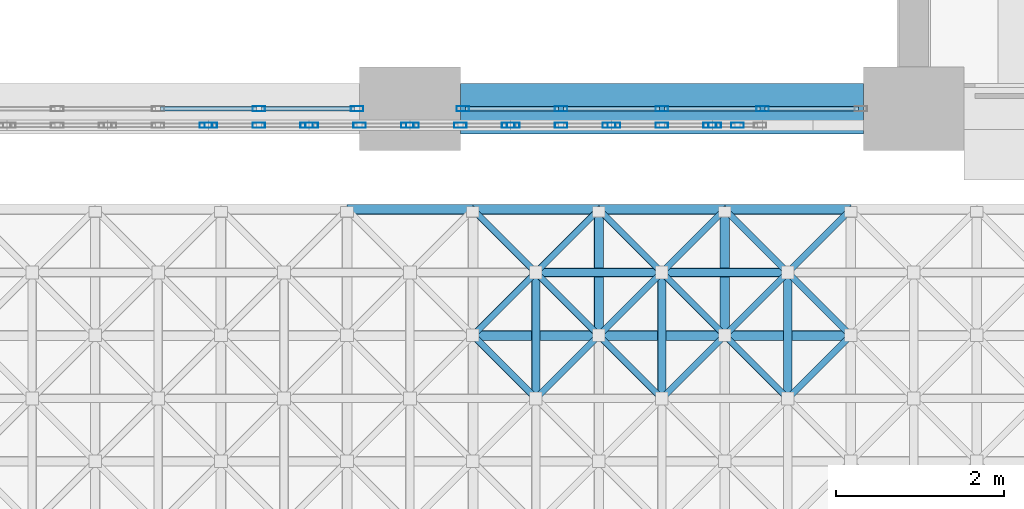
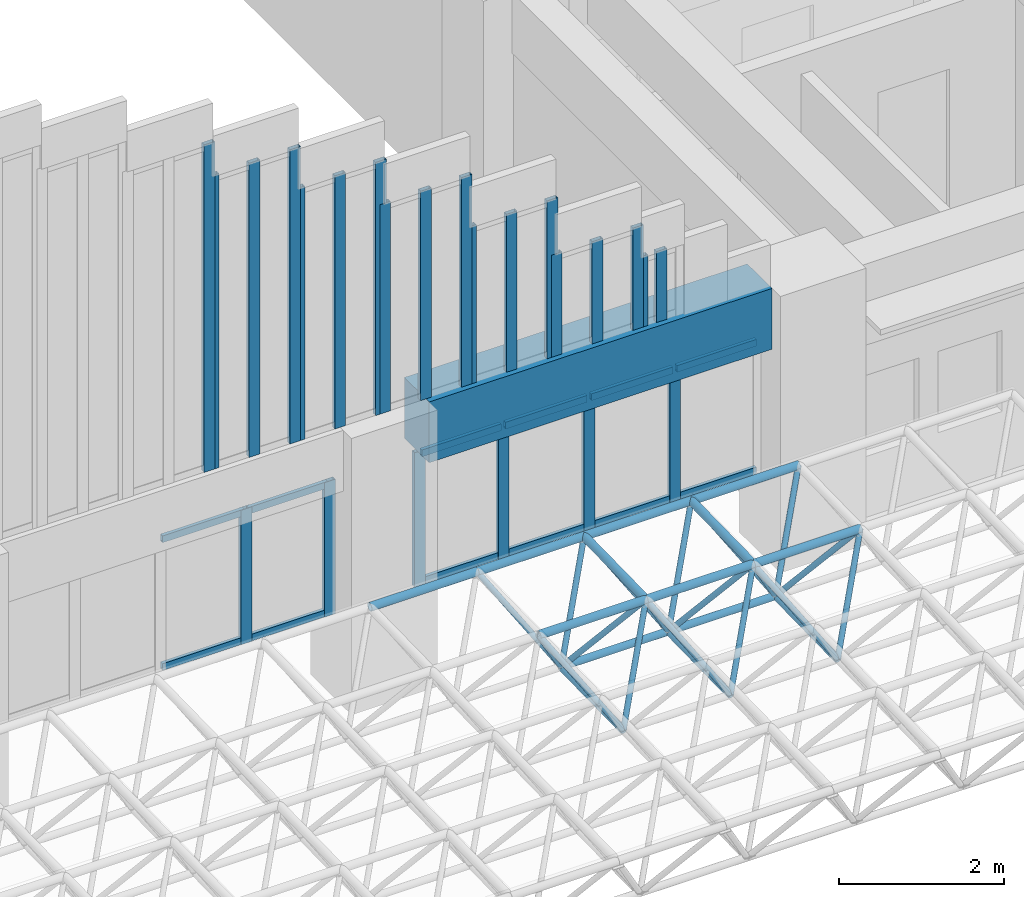
# One storey, part 18 of 103: 68 members, 1 beam, 9 elements without a shape of their own.
"""IFC4 building model written with IfcOpenShell, lengths in metres."""

from ifc_helpers import new_model, si_unit, direction, frame, origin, origin_2d, place, context, subcontext, project, spatial, rectangle, hollow_rectangle, hollow_circle, extrude, material, material_profile, profile_set, type_object, element, aggregate, save


model = new_model("IFC4")

# Units and contexts
model_context = context("Model", 3, precision=1e-05, world=origin(), true_north=direction((0.0, 1.0)))
body_context = subcontext(model_context, "Body", "Model", "MODEL_VIEW")
ifc_project = project(units=[si_unit("LENGTHUNIT", "METRE"), si_unit("AREAUNIT", "SQUARE_METRE"), si_unit("VOLUMEUNIT", "CUBIC_METRE"), si_unit("PLANEANGLEUNIT", "RADIAN"), si_unit("MASSUNIT", "GRAM", prefix="KILO")], contexts=[model_context])

# Site, building, storey
site_placement = place(None, origin())
site = spatial("IfcSite", under=ifc_project, at=site_placement, CompositionType="ELEMENT")
building_placement = place(site_placement, origin())
building = spatial("IfcBuilding", under=site, at=building_placement, Name="Laocheng Heights Fire and Rescue Headquarters", CompositionType="ELEMENT")
storey_placement = place(building_placement, frame((0.0, 0.0, 4.199951171875)))
storey = spatial("IfcBuildingStorey", under=building, at=storey_placement, Name="L01", CompositionType="ELEMENT", Elevation=4.199951171875)

# Curtain wall, members
ifc_material_1 = material(Name="Aluminium gable glazing, low-e double glazing", Category="aluminium")
curtain_wall_type_1 = type_object("IfcCurtainWallType", Name="GABLE SPANDREL GLAZED UNIT 4800 x 1990", PredefinedType="NOTDEFINED", material=ifc_material_1)
curtain_wall_1_placement = place(storey_placement, origin())
curtain_wall_1 = element("IfcCurtainWall", 1, at=curtain_wall_1_placement, inside=storey, type_object=curtain_wall_type_1, Name="Gable spandrel glazing S5", PredefinedType="NOTDEFINED")
ifc_material_2 = material(Name="Aluminium 6063-T5 extrusion", Category="aluminium")
ifc_material_profile_1 = material_profile(ifc_material_2, hollow_rectangle(XDim=0.06005859375, YDim=0.14990234375, WallThickness=0.0029296875, at=origin_2d()), Name="AL MULLION 150x60x3")
ifc_profile_set_1 = profile_set([ifc_material_profile_1], Name="Aluminium 6063-T5 extrusion")
member_type_1 = type_object("IfcMemberType", Name="AL GABLE MULLION 150x60x3", PredefinedType="MULLION", material=ifc_profile_set_1)
member_1_placement = place(storey_placement, frame((46.199951171875, 0.0, 1.199951171875), z_axis=(0.0, 0.0, 1.0), x_axis=(0.0, 1.0, 0.0)))
member_1 = element("IfcMember", 2, at=member_1_placement, type_object=member_type_1, Name="X1-D mullion 4", PredefinedType="MULLION", context=body_context, shape_type="SweptSolid", body=[
    extrude(hollow_rectangle(XDim=0.06005859375, YDim=0.14990234375, WallThickness=0.0029296875, at=origin_2d()), origin(), (0.0, 0.0, 1.0), 1.990478515625),
])
member_2_placement = place(storey_placement, frame((47.3701171875, 0.0, 1.199951171875), z_axis=(0.0, 0.0, 1.0), x_axis=(0.0, 1.0, 0.0)))
member_2 = element("IfcMember", 3, at=member_2_placement, type_object=member_type_1, Name="X1-D mullion 5", PredefinedType="MULLION", context=body_context, shape_type="SweptSolid", body=[
    extrude(hollow_rectangle(XDim=0.06005859375, YDim=0.14990234375, WallThickness=0.0029296875, at=origin_2d()), origin(), (0.0, 0.0, 1.0), 1.990478515625),
])

curtain_wall_2_placement = place(storey_placement, origin())
curtain_wall_2 = element("IfcCurtainWall", 4, at=curtain_wall_2_placement, inside=storey, type_object=curtain_wall_type_1, Name="Gable spandrel glazing S6", PredefinedType="NOTDEFINED")
member_3_placement = place(storey_placement, frame((48.6298828125, 0.0, 1.199951171875), z_axis=(0.0, 0.0, 1.0), x_axis=(0.0, 1.0, 0.0)))
member_3 = element("IfcMember", 5, at=member_3_placement, type_object=member_type_1, Name="X1-D mullion 1", PredefinedType="MULLION", context=body_context, shape_type="SweptSolid", body=[
    extrude(hollow_rectangle(XDim=0.06005859375, YDim=0.14990234375, WallThickness=0.0029296875, at=origin_2d()), origin(), (0.0, 0.0, 1.0), 1.990478515625),
])
member_4_placement = place(storey_placement, frame((49.800048828125, 0.0, 1.199951171875), z_axis=(0.0, 0.0, 1.0), x_axis=(0.0, 1.0, 0.0)))
member_4 = element("IfcMember", 6, at=member_4_placement, type_object=member_type_1, Name="X1-D mullion 2", PredefinedType="MULLION", context=body_context, shape_type="SweptSolid", body=[
    extrude(hollow_rectangle(XDim=0.06005859375, YDim=0.14990234375, WallThickness=0.0029296875, at=origin_2d()), origin(), (0.0, 0.0, 1.0), 1.990478515625),
])
member_5_placement = place(storey_placement, frame((51.0, 0.0, 1.199951171875), z_axis=(0.0, 0.0, 1.0), x_axis=(0.0, 1.0, 0.0)))
member_5 = element("IfcMember", 7, at=member_5_placement, type_object=member_type_1, Name="X1-D mullion 3", PredefinedType="MULLION", context=body_context, shape_type="SweptSolid", body=[
    extrude(hollow_rectangle(XDim=0.06005859375, YDim=0.14990234375, WallThickness=0.0029296875, at=origin_2d()), origin(), (0.0, 0.0, 1.0), 1.990478515625),
])
member_6_placement = place(storey_placement, frame((52.199951171875, 0.0, 1.199951171875), z_axis=(0.0, 0.0, 1.0), x_axis=(0.0, 1.0, 0.0)))
member_6 = element("IfcMember", 8, at=member_6_placement, type_object=member_type_1, Name="X1-D mullion 4", PredefinedType="MULLION", context=body_context, shape_type="SweptSolid", body=[
    extrude(hollow_rectangle(XDim=0.06005859375, YDim=0.14990234375, WallThickness=0.0029296875, at=origin_2d()), origin(), (0.0, 0.0, 1.0), 1.990478515625),
])

# Curtain wall, member
ifc_material_3 = material(Name="Aluminium gable glazing, low-e double glazing", Category="aluminium")
curtain_wall_type_2 = type_object("IfcCurtainWallType", Name="GABLE GLAZED UNIT 1200 x 4846", PredefinedType="NOTDEFINED", material=ifc_material_3)
curtain_wall_3_placement = place(storey_placement, origin())
curtain_wall_3 = element("IfcCurtainWall", 9, at=curtain_wall_3_placement, inside=storey, type_object=curtain_wall_type_2, Name="Gable glazing S24", PredefinedType="NOTDEFINED")
member_7_placement = place(storey_placement, frame((45.570068359375, -0.196533203125, 4.090576171875), z_axis=(0.0, 0.0, 1.0), x_axis=(0.0, 1.0, 0.0)))
member_7 = element("IfcMember", 10, at=member_7_placement, type_object=member_type_1, Name="X8-D mullion 3", PredefinedType="MULLION", context=body_context, shape_type="SweptSolid", body=[
    extrude(hollow_rectangle(XDim=0.06005859375, YDim=0.14990234375, WallThickness=0.0029296875, at=origin_2d()), origin(), (0.0, 0.0, 1.0), 4.845458984375),
])
aggregate(curtain_wall_3, [member_7])

# Curtain wall, members
ifc_material_4 = material(Name="Aluminium gable glazing, low-e double glazing", Category="aluminium")
curtain_wall_type_3 = type_object("IfcCurtainWallType", Name="GABLE GLAZED UNIT 1200 x 4353", PredefinedType="NOTDEFINED", material=ifc_material_4)
curtain_wall_4_placement = place(storey_placement, origin())
curtain_wall_4 = element("IfcCurtainWall", 11, at=curtain_wall_4_placement, inside=storey, type_object=curtain_wall_type_3, Name="Gable glazing S25", PredefinedType="NOTDEFINED")
member_8_placement = place(storey_placement, frame((45.6298828125, -0.196533203125, 4.090576171875), z_axis=(0.0, 0.0, 1.0), x_axis=(0.0, 1.0, 0.0)))
member_8 = element("IfcMember", 12, at=member_8_placement, type_object=member_type_1, Name="X7-D mullion 1", PredefinedType="MULLION", context=body_context, shape_type="SweptSolid", body=[
    extrude(hollow_rectangle(XDim=0.06005859375, YDim=0.14990234375, WallThickness=0.0029296875, at=origin_2d()), origin(), (0.0, 0.0, 1.0), 4.3525390625),
])
member_9_placement = place(storey_placement, frame((46.199951171875, -0.196533203125, 4.090576171875), z_axis=(0.0, 0.0, 1.0), x_axis=(0.0, 1.0, 0.0)))
member_9 = element("IfcMember", 13, at=member_9_placement, type_object=member_type_1, Name="X7-D mullion 2", PredefinedType="MULLION", context=body_context, shape_type="SweptSolid", body=[
    extrude(hollow_rectangle(XDim=0.06005859375, YDim=0.14990234375, WallThickness=0.0029296875, at=origin_2d()), origin(), (0.0, 0.0, 1.0), 4.3525390625),
])
member_10_placement = place(storey_placement, frame((46.77001953125, -0.196533203125, 4.090576171875), z_axis=(0.0, 0.0, 1.0), x_axis=(0.0, 1.0, 0.0)))
member_10 = element("IfcMember", 14, at=member_10_placement, type_object=member_type_1, Name="X7-D mullion 3", PredefinedType="MULLION", context=body_context, shape_type="SweptSolid", body=[
    extrude(hollow_rectangle(XDim=0.06005859375, YDim=0.14990234375, WallThickness=0.0029296875, at=origin_2d()), origin(), (0.0, 0.0, 1.0), 4.3525390625),
])
aggregate(curtain_wall_4, [member_8, member_9, member_10])

ifc_material_5 = material(Name="Aluminium gable glazing, low-e double glazing", Category="aluminium")
curtain_wall_type_4 = type_object("IfcCurtainWallType", Name="GABLE GLAZED UNIT 1200 x 3746", PredefinedType="NOTDEFINED", material=ifc_material_5)
curtain_wall_5_placement = place(storey_placement, origin())
curtain_wall_5 = element("IfcCurtainWall", 15, at=curtain_wall_5_placement, inside=storey, type_object=curtain_wall_type_4, Name="Gable glazing S26", PredefinedType="NOTDEFINED")
member_11_placement = place(storey_placement, frame((46.830078125, -0.196533203125, 4.090576171875), z_axis=(0.0, 0.0, 1.0), x_axis=(0.0, 1.0, 0.0)))
member_11 = element("IfcMember", 16, at=member_11_placement, type_object=member_type_1, Name="X6-D mullion 1", PredefinedType="MULLION", context=body_context, shape_type="SweptSolid", body=[
    extrude(hollow_rectangle(XDim=0.06005859375, YDim=0.14990234375, WallThickness=0.0029296875, at=origin_2d()), origin(), (0.0, 0.0, 1.0), 3.745361328125),
])
member_12_placement = place(storey_placement, frame((47.39990234375, -0.196533203125, 4.090576171875), z_axis=(0.0, 0.0, 1.0), x_axis=(0.0, 1.0, 0.0)))
member_12 = element("IfcMember", 17, at=member_12_placement, type_object=member_type_1, Name="X6-D mullion 2", PredefinedType="MULLION", context=body_context, shape_type="SweptSolid", body=[
    extrude(hollow_rectangle(XDim=0.06005859375, YDim=0.14990234375, WallThickness=0.0029296875, at=origin_2d()), origin(), (0.0, 0.0, 1.0), 3.745361328125),
])
member_13_placement = place(storey_placement, frame((47.969970703125, -0.196533203125, 4.090576171875), z_axis=(0.0, 0.0, 1.0), x_axis=(0.0, 1.0, 0.0)))
member_13 = element("IfcMember", 18, at=member_13_placement, type_object=member_type_1, Name="X6-D mullion 3", PredefinedType="MULLION", context=body_context, shape_type="SweptSolid", body=[
    extrude(hollow_rectangle(XDim=0.06005859375, YDim=0.14990234375, WallThickness=0.0029296875, at=origin_2d()), origin(), (0.0, 0.0, 1.0), 3.745361328125),
])
aggregate(curtain_wall_5, [member_11, member_12, member_13])

ifc_material_6 = material(Name="Aluminium gable glazing, low-e double glazing", Category="aluminium")
curtain_wall_type_5 = type_object("IfcCurtainWallType", Name="GABLE GLAZED UNIT 1200 x 3100", PredefinedType="NOTDEFINED", material=ifc_material_6)
curtain_wall_6_placement = place(storey_placement, origin())
curtain_wall_6 = element("IfcCurtainWall", 19, at=curtain_wall_6_placement, inside=storey, type_object=curtain_wall_type_5, Name="Gable glazing S27", PredefinedType="NOTDEFINED")
member_14_placement = place(storey_placement, frame((48.030029296875, -0.196533203125, 4.090576171875), z_axis=(0.0, 0.0, 1.0), x_axis=(0.0, 1.0, 0.0)))
member_14 = element("IfcMember", 20, at=member_14_placement, type_object=member_type_1, Name="X5-D mullion 1", PredefinedType="MULLION", context=body_context, shape_type="SweptSolid", body=[
    extrude(hollow_rectangle(XDim=0.06005859375, YDim=0.14990234375, WallThickness=0.0029296875, at=origin_2d()), origin(), (0.0, 0.0, 1.0), 3.099365234375),
])
member_15_placement = place(storey_placement, frame((48.60009765625, -0.196533203125, 4.090576171875), z_axis=(0.0, 0.0, 1.0), x_axis=(0.0, 1.0, 0.0)))
member_15 = element("IfcMember", 21, at=member_15_placement, type_object=member_type_1, Name="X5-D mullion 2", PredefinedType="MULLION", context=body_context, shape_type="SweptSolid", body=[
    extrude(hollow_rectangle(XDim=0.06005859375, YDim=0.14990234375, WallThickness=0.0029296875, at=origin_2d()), origin(), (0.0, 0.0, 1.0), 3.099365234375),
])
member_16_placement = place(storey_placement, frame((49.169921875, -0.196533203125, 4.090576171875), z_axis=(0.0, 0.0, 1.0), x_axis=(0.0, 1.0, 0.0)))
member_16 = element("IfcMember", 22, at=member_16_placement, type_object=member_type_1, Name="X5-D mullion 3", PredefinedType="MULLION", context=body_context, shape_type="SweptSolid", body=[
    extrude(hollow_rectangle(XDim=0.06005859375, YDim=0.14990234375, WallThickness=0.0029296875, at=origin_2d()), origin(), (0.0, 0.0, 1.0), 3.099365234375),
])
aggregate(curtain_wall_6, [member_14, member_15, member_16])

ifc_material_7 = material(Name="Aluminium gable glazing, low-e double glazing", Category="aluminium")
curtain_wall_type_6 = type_object("IfcCurtainWallType", Name="GABLE GLAZED UNIT 1200 x 2336", PredefinedType="NOTDEFINED", material=ifc_material_7)
curtain_wall_7_placement = place(storey_placement, origin())
curtain_wall_7 = element("IfcCurtainWall", 23, at=curtain_wall_7_placement, inside=storey, type_object=curtain_wall_type_6, Name="Gable glazing S28", PredefinedType="NOTDEFINED")
member_17_placement = place(storey_placement, frame((49.22998046875, -0.196533203125, 4.090576171875), z_axis=(0.0, 0.0, 1.0), x_axis=(0.0, 1.0, 0.0)))
member_17 = element("IfcMember", 24, at=member_17_placement, type_object=member_type_1, Name="X4-D mullion 1", PredefinedType="MULLION", context=body_context, shape_type="SweptSolid", body=[
    extrude(hollow_rectangle(XDim=0.06005859375, YDim=0.14990234375, WallThickness=0.0029296875, at=origin_2d()), origin(), (0.0, 0.0, 1.0), 2.33544921875),
])
member_18_placement = place(storey_placement, frame((49.800048828125, -0.196533203125, 4.090576171875), z_axis=(0.0, 0.0, 1.0), x_axis=(0.0, 1.0, 0.0)))
member_18 = element("IfcMember", 25, at=member_18_placement, type_object=member_type_1, Name="X4-D mullion 2", PredefinedType="MULLION", context=body_context, shape_type="SweptSolid", body=[
    extrude(hollow_rectangle(XDim=0.06005859375, YDim=0.14990234375, WallThickness=0.0029296875, at=origin_2d()), origin(), (0.0, 0.0, 1.0), 2.33544921875),
])
member_19_placement = place(storey_placement, frame((50.3701171875, -0.196533203125, 4.090576171875), z_axis=(0.0, 0.0, 1.0), x_axis=(0.0, 1.0, 0.0)))
member_19 = element("IfcMember", 26, at=member_19_placement, type_object=member_type_1, Name="X4-D mullion 3", PredefinedType="MULLION", context=body_context, shape_type="SweptSolid", body=[
    extrude(hollow_rectangle(XDim=0.06005859375, YDim=0.14990234375, WallThickness=0.0029296875, at=origin_2d()), origin(), (0.0, 0.0, 1.0), 2.33544921875),
])
aggregate(curtain_wall_7, [member_17, member_18, member_19])

ifc_material_8 = material(Name="Aluminium gable glazing, low-e double glazing", Category="aluminium")
curtain_wall_type_7 = type_object("IfcCurtainWallType", Name="GABLE GLAZED UNIT 1200 x 1511", PredefinedType="NOTDEFINED", material=ifc_material_8)
curtain_wall_8_placement = place(storey_placement, origin())
curtain_wall_8 = element("IfcCurtainWall", 27, at=curtain_wall_8_placement, inside=storey, type_object=curtain_wall_type_7, Name="Gable glazing S29", PredefinedType="NOTDEFINED")
member_20_placement = place(storey_placement, frame((50.429931640625, -0.196533203125, 4.090576171875), z_axis=(0.0, 0.0, 1.0), x_axis=(0.0, 1.0, 0.0)))
member_20 = element("IfcMember", 28, at=member_20_placement, type_object=member_type_1, Name="X3-D mullion 1", PredefinedType="MULLION", context=body_context, shape_type="SweptSolid", body=[
    extrude(hollow_rectangle(XDim=0.06005859375, YDim=0.14990234375, WallThickness=0.0029296875, at=origin_2d()), origin(), (0.0, 0.0, 1.0), 1.511474609375),
])
member_21_placement = place(storey_placement, frame((51.0, -0.196533203125, 4.090576171875), z_axis=(0.0, 0.0, 1.0), x_axis=(0.0, 1.0, 0.0)))
member_21 = element("IfcMember", 29, at=member_21_placement, type_object=member_type_1, Name="X3-D mullion 2", PredefinedType="MULLION", context=body_context, shape_type="SweptSolid", body=[
    extrude(hollow_rectangle(XDim=0.06005859375, YDim=0.14990234375, WallThickness=0.0029296875, at=origin_2d()), origin(), (0.0, 0.0, 1.0), 1.511474609375),
])
member_22_placement = place(storey_placement, frame((51.570068359375, -0.196533203125, 4.090576171875), z_axis=(0.0, 0.0, 1.0), x_axis=(0.0, 1.0, 0.0)))
member_22 = element("IfcMember", 30, at=member_22_placement, type_object=member_type_1, Name="X3-D mullion 3", PredefinedType="MULLION", context=body_context, shape_type="SweptSolid", body=[
    extrude(hollow_rectangle(XDim=0.06005859375, YDim=0.14990234375, WallThickness=0.0029296875, at=origin_2d()), origin(), (0.0, 0.0, 1.0), 1.511474609375),
])
aggregate(curtain_wall_8, [member_20, member_21, member_22])

ifc_material_9 = material(Name="Aluminium gable glazing, low-e double glazing", Category="aluminium")
curtain_wall_type_8 = type_object("IfcCurtainWallType", Name="GABLE GLAZED UNIT 600 x 1049", PredefinedType="NOTDEFINED", material=ifc_material_9)
curtain_wall_9_placement = place(storey_placement, origin())
curtain_wall_9 = element("IfcCurtainWall", 31, at=curtain_wall_9_placement, inside=storey, type_object=curtain_wall_type_8, Name="Gable glazing S30", PredefinedType="NOTDEFINED")
member_23_placement = place(storey_placement, frame((51.6298828125, -0.196533203125, 4.090576171875), z_axis=(0.0, 0.0, 1.0), x_axis=(0.0, 1.0, 0.0)))
member_23 = element("IfcMember", 32, at=member_23_placement, type_object=member_type_1, Name="X2-D mullion 1", PredefinedType="MULLION", context=body_context, shape_type="SweptSolid", body=[
    extrude(hollow_rectangle(XDim=0.06005859375, YDim=0.14990234375, WallThickness=0.0029296875, at=origin_2d()), origin(), (0.0, 0.0, 1.0), 1.048583984375),
])
member_24_placement = place(storey_placement, frame((51.89990234375, -0.196533203125, 4.090576171875), z_axis=(0.0, 0.0, 1.0), x_axis=(0.0, 1.0, 0.0)))
member_24 = element("IfcMember", 33, at=member_24_placement, type_object=member_type_1, Name="X2-D mullion 2", PredefinedType="MULLION", context=body_context, shape_type="SweptSolid", body=[
    extrude(hollow_rectangle(XDim=0.06005859375, YDim=0.14990234375, WallThickness=0.0029296875, at=origin_2d()), origin(), (0.0, 0.0, 1.0), 1.048583984375),
])
aggregate(curtain_wall_9, [member_23, member_24])

# Member
ifc_material_10 = material(Name="Aluminium 6063-T5 extrusion", Category="aluminium")
ifc_material_profile_2 = material_profile(ifc_material_10, hollow_rectangle(XDim=0.050048828125, YDim=0.10009765625, WallThickness=0.0029296875, at=origin_2d()), Name="AL TRANSOM 100x50x3")
ifc_profile_set_2 = profile_set([ifc_material_profile_2], Name="Aluminium 6063-T5 extrusion")
member_type_2 = type_object("IfcMemberType", Name="AL GABLE TRANSOM 100x50x3", PredefinedType="USERDEFINED", material=ifc_profile_set_2)
member_25_placement = place(storey_placement, frame((45.030029296875, 0.0, 1.25), z_axis=(1.0, 0.0, 0.0), x_axis=(0.0, 1.0, 0.0)))
member_25 = element("IfcMember", 34, at=member_25_placement, type_object=member_type_2, Name="X1-D transom 3.1", ObjectType="TRANSOM", PredefinedType="USERDEFINED", context=body_context, shape_type="SweptSolid", body=[
    extrude(hollow_rectangle(XDim=0.050048828125, YDim=0.10009765625, WallThickness=0.0029296875, at=origin_2d()), origin(), (0.0, 0.0, 1.0), 1.139892578125),
])

member_26_placement = place(storey_placement, frame((45.030029296875, 0.0, 3.140625), z_axis=(1.0, 0.0, 0.0), x_axis=(0.0, 1.0, 0.0)))
member_26 = element("IfcMember", 35, at=member_26_placement, type_object=member_type_2, Name="X1-D transom 3.2", ObjectType="TRANSOM", PredefinedType="USERDEFINED", context=body_context, shape_type="SweptSolid", body=[
    extrude(hollow_rectangle(XDim=0.050048828125, YDim=0.10009765625, WallThickness=0.0029296875, at=origin_2d()), origin(), (0.0, 0.0, 1.0), 1.139892578125),
])

member_27_placement = place(storey_placement, frame((46.22998046875, 0.0, 1.25), z_axis=(1.0, 0.0, 0.0), x_axis=(0.0, 1.0, 0.0)))
member_27 = element("IfcMember", 36, at=member_27_placement, type_object=member_type_2, Name="X1-D transom 4.1", ObjectType="TRANSOM", PredefinedType="USERDEFINED", context=body_context, shape_type="SweptSolid", body=[
    extrude(hollow_rectangle(XDim=0.050048828125, YDim=0.10009765625, WallThickness=0.0029296875, at=origin_2d()), origin(), (0.0, 0.0, 1.0), 1.110107421875),
])

member_28_placement = place(storey_placement, frame((46.22998046875, 0.0, 3.140625), z_axis=(1.0, 0.0, 0.0), x_axis=(0.0, 1.0, 0.0)))
member_28 = element("IfcMember", 37, at=member_28_placement, type_object=member_type_2, Name="X1-D transom 4.2", ObjectType="TRANSOM", PredefinedType="USERDEFINED", context=body_context, shape_type="SweptSolid", body=[
    extrude(hollow_rectangle(XDim=0.050048828125, YDim=0.10009765625, WallThickness=0.0029296875, at=origin_2d()), origin(), (0.0, 0.0, 1.0), 1.110107421875),
])

aggregate(curtain_wall_1, [member_1, member_2, member_25, member_26, member_27, member_28])

member_29_placement = place(storey_placement, frame((48.659912109375, 0.0, 1.25), z_axis=(1.0, 0.0, 0.0), x_axis=(0.0, 1.0, 0.0)))
member_29 = element("IfcMember", 38, at=member_29_placement, type_object=member_type_2, Name="X1-D transom 1.1", ObjectType="TRANSOM", PredefinedType="USERDEFINED", context=body_context, shape_type="SweptSolid", body=[
    extrude(hollow_rectangle(XDim=0.050048828125, YDim=0.10009765625, WallThickness=0.0029296875, at=origin_2d()), origin(), (0.0, 0.0, 1.0), 1.110107421875),
])

member_30_placement = place(storey_placement, frame((48.659912109375, 0.0, 3.140625), z_axis=(1.0, 0.0, 0.0), x_axis=(0.0, 1.0, 0.0)))
member_30 = element("IfcMember", 39, at=member_30_placement, type_object=member_type_2, Name="X1-D transom 1.2", ObjectType="TRANSOM", PredefinedType="USERDEFINED", context=body_context, shape_type="SweptSolid", body=[
    extrude(hollow_rectangle(XDim=0.050048828125, YDim=0.10009765625, WallThickness=0.0029296875, at=origin_2d()), origin(), (0.0, 0.0, 1.0), 1.110107421875),
])

member_31_placement = place(storey_placement, frame((49.830078125, 0.0, 1.25), z_axis=(1.0, 0.0, 0.0), x_axis=(0.0, 1.0, 0.0)))
member_31 = element("IfcMember", 40, at=member_31_placement, type_object=member_type_2, Name="X1-D transom 2.1", ObjectType="TRANSOM", PredefinedType="USERDEFINED", context=body_context, shape_type="SweptSolid", body=[
    extrude(hollow_rectangle(XDim=0.050048828125, YDim=0.10009765625, WallThickness=0.0029296875, at=origin_2d()), origin(), (0.0, 0.0, 1.0), 1.139892578125),
])

member_32_placement = place(storey_placement, frame((49.830078125, 0.0, 3.140625), z_axis=(1.0, 0.0, 0.0), x_axis=(0.0, 1.0, 0.0)))
member_32 = element("IfcMember", 41, at=member_32_placement, type_object=member_type_2, Name="X1-D transom 2.2", ObjectType="TRANSOM", PredefinedType="USERDEFINED", context=body_context, shape_type="SweptSolid", body=[
    extrude(hollow_rectangle(XDim=0.050048828125, YDim=0.10009765625, WallThickness=0.0029296875, at=origin_2d()), origin(), (0.0, 0.0, 1.0), 1.139892578125),
])

member_33_placement = place(storey_placement, frame((51.030029296875, 0.0, 1.25), z_axis=(1.0, 0.0, 0.0), x_axis=(0.0, 1.0, 0.0)))
member_33 = element("IfcMember", 42, at=member_33_placement, type_object=member_type_2, Name="X1-D transom 3.1", ObjectType="TRANSOM", PredefinedType="USERDEFINED", context=body_context, shape_type="SweptSolid", body=[
    extrude(hollow_rectangle(XDim=0.050048828125, YDim=0.10009765625, WallThickness=0.0029296875, at=origin_2d()), origin(), (0.0, 0.0, 1.0), 1.139892578125),
])

member_34_placement = place(storey_placement, frame((51.030029296875, 0.0, 3.140625), z_axis=(1.0, 0.0, 0.0), x_axis=(0.0, 1.0, 0.0)))
member_34 = element("IfcMember", 43, at=member_34_placement, type_object=member_type_2, Name="X1-D transom 3.2", ObjectType="TRANSOM", PredefinedType="USERDEFINED", context=body_context, shape_type="SweptSolid", body=[
    extrude(hollow_rectangle(XDim=0.050048828125, YDim=0.10009765625, WallThickness=0.0029296875, at=origin_2d()), origin(), (0.0, 0.0, 1.0), 1.139892578125),
])

member_35_placement = place(storey_placement, frame((52.22998046875, 0.0, 1.25), z_axis=(1.0, 0.0, 0.0), x_axis=(0.0, 1.0, 0.0)))
member_35 = element("IfcMember", 44, at=member_35_placement, type_object=member_type_2, Name="X1-D transom 4.1", ObjectType="TRANSOM", PredefinedType="USERDEFINED", context=body_context, shape_type="SweptSolid", body=[
    extrude(hollow_rectangle(XDim=0.050048828125, YDim=0.10009765625, WallThickness=0.0029296875, at=origin_2d()), origin(), (0.0, 0.0, 1.0), 1.110107421875),
])

member_36_placement = place(storey_placement, frame((52.22998046875, 0.0, 3.140625), z_axis=(1.0, 0.0, 0.0), x_axis=(0.0, 1.0, 0.0)))
member_36 = element("IfcMember", 45, at=member_36_placement, type_object=member_type_2, Name="X1-D transom 4.2", ObjectType="TRANSOM", PredefinedType="USERDEFINED", context=body_context, shape_type="SweptSolid", body=[
    extrude(hollow_rectangle(XDim=0.050048828125, YDim=0.10009765625, WallThickness=0.0029296875, at=origin_2d()), origin(), (0.0, 0.0, 1.0), 1.110107421875),
])

aggregate(curtain_wall_2, [member_3, member_4, member_5, member_6, member_29, member_30, member_31, member_32, member_33, member_34, member_35, member_36])

# Members
ifc_material_11 = material(Name="Steel Q355B", Category="steel")
ifc_material_profile_3 = material_profile(ifc_material_11, hollow_circle(Radius=0.05078125, WallThickness=0.00390625, at=origin_2d()), Name="CHS 101.6x4")
ifc_profile_set_3 = profile_set([ifc_material_profile_3], Name="Steel Q355B")
member_type_3 = type_object("IfcMemberType", Name="APRON CANOPY BOTTOM CHORD CHS 101.6x4", PredefinedType="CHORD", material=ifc_profile_set_3)
for number, where, z_axis, x_axis, name in (
    (46, (49.5, -1.949951171875, 0.861083984375), (1.0, 0.0, 0.0), (0.0, 1.0, 0.0), "Apron canopy bottom chord AC-B019"),
    (47, (51.0, -1.949951171875, 0.861083984375), (1.0, 0.0, 0.0), (0.0, 1.0, 0.0), "Apron canopy bottom chord AC-B020"),
):
    element("IfcMember", number, at=place(storey_placement, frame(where, z_axis=z_axis, x_axis=x_axis)), inside=storey, type_object=member_type_3, Name=name, PredefinedType="CHORD", context=body_context, shape_type="SweptSolid", body=[
        extrude(hollow_circle(Radius=0.05078125, WallThickness=0.00390625, at=origin_2d()), origin(), (0.0, 0.0, 1.0), 1.5),
    ])
for number, where, z_axis, x_axis, name in (
    (48, (49.5, -1.949951171875, 0.861083984375), (0.0, -0.999799669399, -0.020015520725), (1.0, 0.0, 0.0), "Apron canopy bottom chord AC-B143"),
    (49, (51.0, -1.949951171875, 0.861083984375), (0.0, -0.999799669399, -0.020015520725), (1.0, 0.0, 0.0), "Apron canopy bottom chord AC-B146"),
    (50, (52.5, -1.949951171875, 0.861083984375), (0.0, -0.999799669399, -0.020015520725), (1.0, 0.0, 0.0), "Apron canopy bottom chord AC-B149"),
):
    element("IfcMember", number, at=place(storey_placement, frame(where, z_axis=z_axis, x_axis=x_axis)), inside=storey, type_object=member_type_3, Name=name, PredefinedType="CHORD", context=body_context, shape_type="SweptSolid", body=[
        extrude(hollow_circle(Radius=0.05078125, WallThickness=0.00390625, at=origin_2d()), origin(), (0.0, 0.0, 1.0), 1.500244140625),
    ])
ifc_material_12 = material(Name="Steel Q355B", Category="steel")
ifc_material_profile_4 = material_profile(ifc_material_12, hollow_circle(Radius=0.05712890625, WallThickness=0.0048828125, at=origin_2d()), Name="CHS 114.3x5")
ifc_profile_set_4 = profile_set([ifc_material_profile_4], Name="Steel Q355B")
member_type_4 = type_object("IfcMemberType", Name="APRON CANOPY TOP CHORD CHS 114.3x5", PredefinedType="CHORD", material=ifc_profile_set_4)
for number, where, z_axis, x_axis, name in (
    (51, (47.25, -1.199951171875, 2.075927734375), (1.0, 0.0, 0.0), (0.0, 1.0, 0.0), "Apron canopy top chord AC-T018"),
    (52, (48.75, -1.199951171875, 2.075927734375), (1.0, 0.0, 0.0), (0.0, 1.0, 0.0), "Apron canopy top chord AC-T019"),
    (53, (50.25, -1.199951171875, 2.075927734375), (1.0, 0.0, 0.0), (0.0, 1.0, 0.0), "Apron canopy top chord AC-T020"),
    (54, (51.75, -1.199951171875, 2.075927734375), (1.0, 0.0, 0.0), (0.0, 1.0, 0.0), "Apron canopy top chord AC-T021"),
    (55, (48.75, -2.699951171875, 2.046142578125), (1.0, 0.0, 0.0), (0.0, 1.0, 0.0), "Apron canopy top chord AC-T042"),
    (56, (50.25, -2.699951171875, 2.046142578125), (1.0, 0.0, 0.0), (0.0, 1.0, 0.0), "Apron canopy top chord AC-T043"),
    (57, (51.75, -2.699951171875, 2.046142578125), (1.0, 0.0, 0.0), (0.0, 1.0, 0.0), "Apron canopy top chord AC-T044"),
):
    element("IfcMember", number, at=place(storey_placement, frame(where, z_axis=z_axis, x_axis=x_axis)), inside=storey, type_object=member_type_4, Name=name, PredefinedType="CHORD", context=body_context, shape_type="SweptSolid", body=[
        extrude(hollow_circle(Radius=0.05712890625, WallThickness=0.0048828125, at=origin_2d()), origin(), (0.0, 0.0, 1.0), 1.5),
    ])
for number, where, z_axis, x_axis, name in (
    (58, (50.25, -1.199951171875, 2.075927734375), (0.0, -0.999802912607, -0.019852857314), (1.0, 0.0, 0.0), "Apron canopy top chord AC-T192"),
    (59, (51.75, -1.199951171875, 2.075927734375), (0.0, -0.999802912607, -0.019852857314), (1.0, 0.0, 0.0), "Apron canopy top chord AC-T196"),
):
    element("IfcMember", number, at=place(storey_placement, frame(where, z_axis=z_axis, x_axis=x_axis)), inside=storey, type_object=member_type_4, Name=name, PredefinedType="CHORD", context=body_context, shape_type="SweptSolid", body=[
        extrude(hollow_circle(Radius=0.05712890625, WallThickness=0.0048828125, at=origin_2d()), origin(), (0.0, 0.0, 1.0), 1.500244140625),
    ])
ifc_material_13 = material(Name="Steel Q355B", Category="steel")
ifc_material_profile_5 = material_profile(ifc_material_13, hollow_circle(Radius=0.0380859375, WallThickness=0.00390625, at=origin_2d()), Name="CHS 76.1x4")
ifc_profile_set_5 = profile_set([ifc_material_profile_5], Name="Steel Q355B")
member_type_5 = type_object("IfcMemberType", Name="APRON CANOPY WEB CHS 76.1x4", PredefinedType="BRACE", material=ifc_profile_set_5)
for number, where, z_axis, x_axis, name in (
    (60, (49.5, -1.949951171875, 0.861083984375), (-0.46505465934, 0.46505465934, 0.753291661743), (-0.707106781187, -0.707106781187, 0.0), "Apron canopy web AC-W073"),
    (61, (49.5, -1.949951171875, 0.861083984375), (0.46505465934, 0.46505465934, 0.753291661743), (-0.707106781187, 0.707106781187, 0.0), "Apron canopy web AC-W074"),
):
    element("IfcMember", number, at=place(storey_placement, frame(where, z_axis=z_axis, x_axis=x_axis)), inside=storey, type_object=member_type_5, Name=name, PredefinedType="BRACE", context=body_context, shape_type="SweptSolid", body=[
        extrude(hollow_circle(Radius=0.0380859375, WallThickness=0.00390625, at=origin_2d()), origin(), (0.0, 0.0, 1.0), 1.61279296875),
    ])
for number, where, z_axis, x_axis, name in (
    (62, (49.5, -1.949951171875, 0.861083984375), (-0.471580249604, -0.471580249604, 0.745133636582), (0.707106781187, -0.707106781187, 0.0), "Apron canopy web AC-W075"),
    (63, (49.5, -1.949951171875, 0.861083984375), (0.471580249604, -0.471580249604, 0.745133636582), (0.707106781187, 0.707106781187, 0.0), "Apron canopy web AC-W076"),
):
    element("IfcMember", number, at=place(storey_placement, frame(where, z_axis=z_axis, x_axis=x_axis)), inside=storey, type_object=member_type_5, Name=name, PredefinedType="BRACE", context=body_context, shape_type="SweptSolid", body=[
        extrude(hollow_circle(Radius=0.0380859375, WallThickness=0.00390625, at=origin_2d()), origin(), (0.0, 0.0, 1.0), 1.59033203125),
    ])
for number, where, z_axis, x_axis, name in (
    (64, (51.0, -1.949951171875, 0.861083984375), (-0.46505465934, 0.46505465934, 0.753291661743), (-0.707106781187, -0.707106781187, 0.0), "Apron canopy web AC-W077"),
    (65, (51.0, -1.949951171875, 0.861083984375), (0.46505465934, 0.46505465934, 0.753291661743), (-0.707106781187, 0.707106781187, 0.0), "Apron canopy web AC-W078"),
):
    element("IfcMember", number, at=place(storey_placement, frame(where, z_axis=z_axis, x_axis=x_axis)), inside=storey, type_object=member_type_5, Name=name, PredefinedType="BRACE", context=body_context, shape_type="SweptSolid", body=[
        extrude(hollow_circle(Radius=0.0380859375, WallThickness=0.00390625, at=origin_2d()), origin(), (0.0, 0.0, 1.0), 1.61279296875),
    ])
for number, where, z_axis, x_axis, name in (
    (66, (51.0, -1.949951171875, 0.861083984375), (-0.471580249604, -0.471580249604, 0.745133636582), (0.707106781187, -0.707106781187, 0.0), "Apron canopy web AC-W079"),
    (67, (51.0, -1.949951171875, 0.861083984375), (0.471580249604, -0.471580249604, 0.745133636582), (0.707106781187, 0.707106781187, 0.0), "Apron canopy web AC-W080"),
):
    element("IfcMember", number, at=place(storey_placement, frame(where, z_axis=z_axis, x_axis=x_axis)), inside=storey, type_object=member_type_5, Name=name, PredefinedType="BRACE", context=body_context, shape_type="SweptSolid", body=[
        extrude(hollow_circle(Radius=0.0380859375, WallThickness=0.00390625, at=origin_2d()), origin(), (0.0, 0.0, 1.0), 1.59033203125),
    ])
for number, where, z_axis, x_axis, name in (
    (68, (52.5, -1.949951171875, 0.861083984375), (-0.46505465934, 0.46505465934, 0.753291661743), (-0.707106781187, -0.707106781187, 0.0), "Apron canopy web AC-W081"),
    (69, (52.5, -1.949951171875, 0.861083984375), (0.46505465934, 0.46505465934, 0.753291661743), (-0.707106781187, 0.707106781187, 0.0), "Apron canopy web AC-W082"),
):
    element("IfcMember", number, at=place(storey_placement, frame(where, z_axis=z_axis, x_axis=x_axis)), inside=storey, type_object=member_type_5, Name=name, PredefinedType="BRACE", context=body_context, shape_type="SweptSolid", body=[
        extrude(hollow_circle(Radius=0.0380859375, WallThickness=0.00390625, at=origin_2d()), origin(), (0.0, 0.0, 1.0), 1.61279296875),
    ])
for number, where, z_axis, x_axis, name in (
    (70, (52.5, -1.949951171875, 0.861083984375), (-0.471580249604, -0.471580249604, 0.745133636582), (0.707106781187, -0.707106781187, 0.0), "Apron canopy web AC-W083"),
    (71, (52.5, -1.949951171875, 0.861083984375), (0.471580249604, -0.471580249604, 0.745133636582), (0.707106781187, 0.707106781187, 0.0), "Apron canopy web AC-W084"),
):
    element("IfcMember", number, at=place(storey_placement, frame(where, z_axis=z_axis, x_axis=x_axis)), inside=storey, type_object=member_type_5, Name=name, PredefinedType="BRACE", context=body_context, shape_type="SweptSolid", body=[
        extrude(hollow_circle(Radius=0.0380859375, WallThickness=0.00390625, at=origin_2d()), origin(), (0.0, 0.0, 1.0), 1.59033203125),
    ])
for number, where, z_axis, x_axis, name in (
    (72, (49.5, -3.449951171875, 0.8310546875), (-0.465001629625, 0.465001629625, 0.75335713237), (-0.707106781187, -0.707106781187, 0.0), "Apron canopy web AC-W165"),
    (73, (49.5, -3.449951171875, 0.8310546875), (0.465001629625, 0.465001629625, 0.75335713237), (-0.707106781187, 0.707106781187, 0.0), "Apron canopy web AC-W166"),
    (74, (51.0, -3.449951171875, 0.8310546875), (-0.465001629625, 0.465001629625, 0.75335713237), (-0.707106781187, -0.707106781187, 0.0), "Apron canopy web AC-W169"),
    (75, (51.0, -3.449951171875, 0.8310546875), (0.465001629625, 0.465001629625, 0.75335713237), (-0.707106781187, 0.707106781187, 0.0), "Apron canopy web AC-W170"),
    (76, (52.5, -3.449951171875, 0.8310546875), (-0.465001629625, 0.465001629625, 0.75335713237), (-0.707106781187, -0.707106781187, 0.0), "Apron canopy web AC-W173"),
    (77, (52.5, -3.449951171875, 0.8310546875), (0.465001629625, 0.465001629625, 0.75335713237), (-0.707106781187, 0.707106781187, 0.0), "Apron canopy web AC-W174"),
):
    element("IfcMember", number, at=place(storey_placement, frame(where, z_axis=z_axis, x_axis=x_axis)), inside=storey, type_object=member_type_5, Name=name, PredefinedType="BRACE", context=body_context, shape_type="SweptSolid", body=[
        extrude(hollow_circle(Radius=0.0380859375, WallThickness=0.00390625, at=origin_2d()), origin(), (0.0, 0.0, 1.0), 1.61279296875),
    ])

# Beam
ifc_material_14 = material(Name="Concrete C50", Category="concrete")
ifc_material_profile_6 = material_profile(ifc_material_14, rectangle(XDim=0.60009765625, YDim=0.89990234375, at=origin_2d()), Name="RC BEAM 600x900 GABLE SPRING BEAM")
ifc_profile_set_6 = profile_set([ifc_material_profile_6], Name="Concrete C50")
beam_type = type_object("IfcBeamType", Name="RC BEAM 600x900 GABLE SPRING BEAM", PredefinedType="BEAM", material=ifc_profile_set_6)
beam_placement = place(storey_placement, frame((48.60009765625, 0.0, 3.640625), z_axis=(1.0, 0.0, 0.0), x_axis=(0.0, 1.0, 0.0)))
element("IfcBeam", 78, at=beam_placement, inside=storey, type_object=beam_type, Name="Gable spring beam S6", PredefinedType="BEAM", context=body_context, shape_type="SweptSolid", body=[
    extrude(rectangle(XDim=0.60009765625, YDim=0.89990234375, at=origin_2d()), origin(), (0.0, 0.0, 1.0), 4.7998046875),
])

save(model, "model.ifc")
